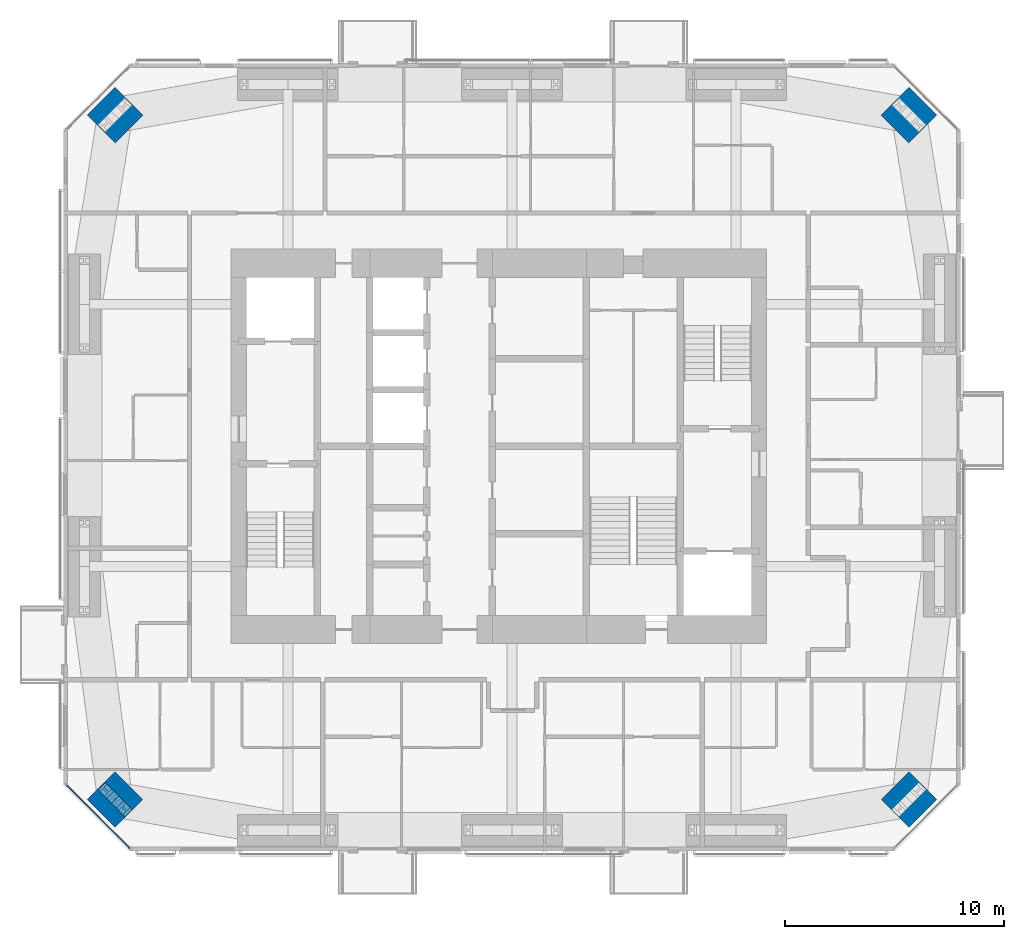
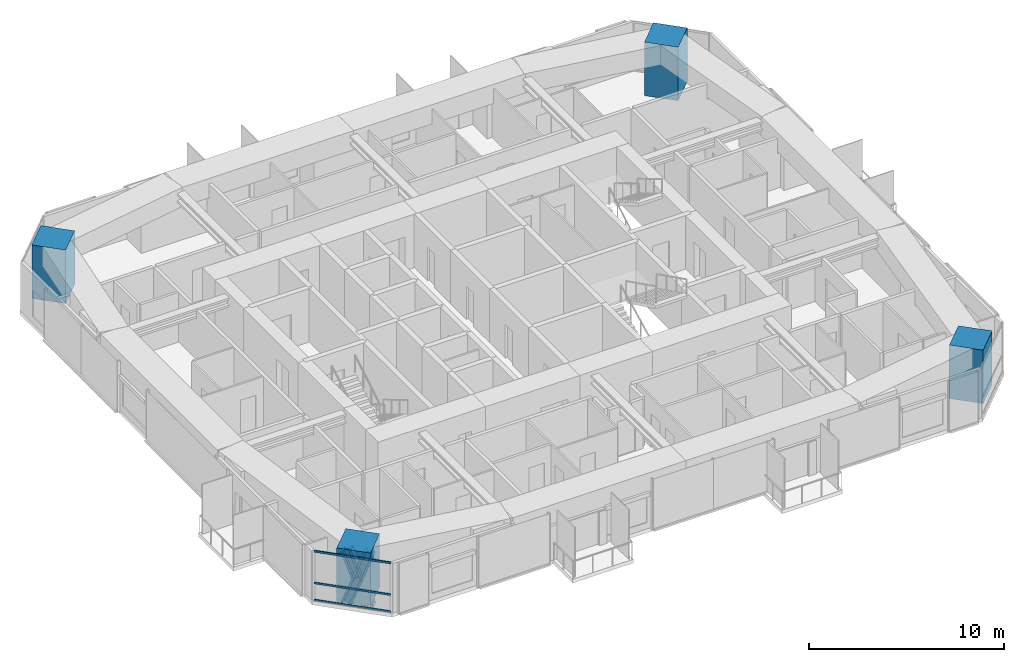
# One storey, part 1 of 22: 7 members, 4 columns, 1 element without a shape of its own.
"""IFC4 building model written with IfcOpenShell, lengths in metres."""

import ifcopenshell
import ifcopenshell.guid

model = None  # the IFC model being written
_history = None  # IfcOwnerHistory: only IFC2X3 demands one
_inside = {}  # id of a spatial element -> (the spatial element, [elements in it])
_under = {}  # id of a project, library or spatial element -> (it, [spatial elements below it])
_declared = {}  # id of a project -> (the project, [libraries it declares])
_typed = {}  # id of a type object -> (the type object, [elements of that type])
_made_of = {}  # id of a material, layer set ... -> (it, [elements and type objects made of it])


def new_model(schema):
    """Start an empty IFC model of exactly this schema.

    Asked for "IFC4X3", IfcOpenShell would pick the latest addendum, in which some entities
    have other attributes; the version numbers below select the first issue.
    IFC2X3 requires an IfcOwnerHistory on every rooted entity: one is made here for all.
    """
    global model, _history
    if schema == "IFC4X3":
        model = ifcopenshell.file(schema_version=(4, 3, 0, 0))
    else:
        model = ifcopenshell.file(schema=schema)
    _inside.clear()
    _under.clear()
    _declared.clear()
    _typed.clear()
    _made_of.clear()
    _history = None
    if model.schema == "IFC2X3":
        org = make("IfcOrganization", Name="unknown")
        user = make(
            "IfcPersonAndOrganization",
            ThePerson=make("IfcPerson", FamilyName="unknown"),
            TheOrganization=org,
        )
        app = make(
            "IfcApplication",
            ApplicationDeveloper=org,
            Version="unknown",
            ApplicationFullName="unknown",
            ApplicationIdentifier="unknown",
        )
        _history = make(
            "IfcOwnerHistory",
            OwningUser=user,
            OwningApplication=app,
            ChangeAction="ADDED",
            CreationDate=0,
        )
    return model


def make(cls, **values):
    """One entity of the class cls with the attributes given. An attribute that is None is left unset."""
    return model.create_entity(
        cls, **{name: value for name, value in values.items() if value is not None}
    )


def rooted(cls, **values):
    """An entity with a GlobalId (a new one), such as an element, a storey or a relation."""
    return make(cls, GlobalId=ifcopenshell.guid.new(), OwnerHistory=_history, **values)


def si_unit(unit_type, name, prefix=None):
    """IfcSIUnit, for example si_unit("LENGTHUNIT", "METRE", prefix="MILLI")."""
    return make("IfcSIUnit", UnitType=unit_type, Prefix=prefix, Name=name)


def assignment(units):
    """IfcUnitAssignment: the units of a project."""
    return None if units is None else make("IfcUnitAssignment", Units=units)


def point(xyz):
    """IfcCartesianPoint."""
    return None if xyz is None else make("IfcCartesianPoint", Coordinates=xyz)


def direction(xyz):
    """IfcDirection."""
    return None if xyz is None else make("IfcDirection", DirectionRatios=xyz)


def frame(location, z_axis=None, x_axis=None):
    """IfcAxis2Placement3D, a coordinate frame: its origin and axes. An axis left out is left unset."""
    return make(
        "IfcAxis2Placement3D",
        Location=point(location),
        Axis=direction(z_axis),
        RefDirection=direction(x_axis),
    )


def frame_2d(location, x_axis=None):
    """IfcAxis2Placement2D, a coordinate frame in the plane: its origin and x axis."""
    return make(
        "IfcAxis2Placement2D", Location=point(location), RefDirection=direction(x_axis)
    )


def origin():
    """The frame at (0, 0, 0) with its axes left unset."""
    return frame((0.0, 0.0, 0.0))


def origin_2d():
    """The frame at (0, 0) in the plane with its x axis left unset."""
    return frame_2d((0.0, 0.0))


def place(relative_to, where):
    """IfcLocalPlacement: puts the frame where relative to a parent placement (None: the world)."""
    return make(
        "IfcLocalPlacement", PlacementRelTo=relative_to, RelativePlacement=where
    )


def context(
    kind, dimensions, precision=None, world=None, true_north=None, identifier=None
):
    """IfcGeometricRepresentationContext, for example the 3D "Model" context."""
    return make(
        "IfcGeometricRepresentationContext",
        ContextIdentifier=identifier,
        ContextType=kind,
        CoordinateSpaceDimension=dimensions,
        Precision=precision,
        WorldCoordinateSystem=world,
        TrueNorth=true_north,
    )


def subcontext(parent, identifier, kind, view, scale=None):
    """IfcGeometricRepresentationSubContext, for example "Body" below "Model"."""
    return make(
        "IfcGeometricRepresentationSubContext",
        ContextIdentifier=identifier,
        ContextType=kind,
        ParentContext=parent,
        TargetScale=scale,
        TargetView=view,
    )


def project(units=None, contexts=None):
    """IfcProject with its units and contexts."""
    return rooted(
        "IfcProject",
        Name="project",
        RepresentationContexts=contexts,
        UnitsInContext=assignment(units),
    )


def spatial(cls, under=None, at=None, **own):
    """A site, building, storey or space (cls), placed at a placement, below another one or the project."""
    s = rooted(cls, ObjectPlacement=at, **own)
    if under is not None:
        _under.setdefault(under.id(), (under, []))[1].append(s)
    return s


def profile(cls, at=None, kind="AREA", **sizes):
    """A parametric profile (cls). Its sizes go by their IFC names, for example OverallWidth=200.0."""
    return make(cls, ProfileType=kind, Position=at, **sizes)


def rectangle(**sizes):
    """IfcRectangleProfileDef."""
    return profile("IfcRectangleProfileDef", **sizes)


def i_section(**sizes):
    """IfcIShapeProfileDef."""
    return profile("IfcIShapeProfileDef", **sizes)


def extrude(swept, where, along, depth):
    """IfcExtrudedAreaSolid: the profile swept, set in the frame where, extruded along a direction by depth."""
    return make(
        "IfcExtrudedAreaSolid",
        SweptArea=swept,
        Position=where,
        ExtrudedDirection=direction(along),
        Depth=depth,
    )


def shape(context_of_items, identifier, shape_type, items):
    """IfcShapeRepresentation: the items that make up one representation, for example the "Body"."""
    return make(
        "IfcShapeRepresentation",
        ContextOfItems=context_of_items,
        RepresentationIdentifier=identifier,
        RepresentationType=shape_type,
        Items=items,
    )


def material(Name=None, Category=None):
    """IfcMaterial."""
    return make("IfcMaterial", Name=Name, Category=Category)


def material_profile(
    of_material, cross_section, Name=None, Category=None, Priority=None
):
    """IfcMaterialProfile: a cross section and its material."""
    return make(
        "IfcMaterialProfile",
        Name=Name,
        Material=of_material,
        Profile=cross_section,
        Priority=Priority,
        Category=Category,
    )


def profile_set(profiles, Name=None, composite=None):
    """IfcMaterialProfileSet."""
    return make(
        "IfcMaterialProfileSet",
        Name=Name,
        MaterialProfiles=profiles,
        CompositeProfile=composite,
    )


def made_of(thing, what):
    """Note that an element or type object is made of a material, layer set ...; save() writes the relation."""
    if what is not None:
        _made_of.setdefault(what.id(), (what, []))[1].append(thing)
    return thing


def type_object(cls, material=None, **own):
    """A type object (cls), such as IfcWallType, which elements share."""
    return made_of(rooted(cls, **own), material)


def element(
    cls,
    number,
    at=None,
    inside=None,
    cuts=None,
    type_object=None,
    material=None,
    context=None,
    identifier="Body",
    shape_type=None,
    held_by="IfcProductDefinitionShape",
    body=None,
    shapes=None,
    **own,
):
    """One element of the class cls, such as IfcWall. Its Tag is "e" and its number.

    at: its placement. inside: the storey or other place that contains it. cuts: it is an
    opening in that element (IfcRelVoidsElement). A single representation is given by context,
    identifier, shape_type and body (its items); several are given by shapes. held_by: the class
    of the entity that holds the representations. save() writes the other relations.
    """
    e = rooted(cls, Tag="e%d" % number, ObjectPlacement=at, **own)
    if body is not None:
        shapes = [shape(context, identifier, shape_type, body)]
    if shapes is not None:
        e.Representation = make(held_by, Representations=shapes)
    if inside is not None:
        _inside.setdefault(inside.id(), (inside, []))[1].append(e)
    if cuts is not None:
        rooted(
            "IfcRelVoidsElement", RelatingBuildingElement=cuts, RelatedOpeningElement=e
        )
    if type_object is not None:
        _typed.setdefault(type_object.id(), (type_object, []))[1].append(e)
    return made_of(e, material)


def aggregate(whole, parts):
    """IfcRelAggregates: a whole, such as a stair, and the parts it consists of."""
    return rooted("IfcRelAggregates", RelatingObject=whole, RelatedObjects=parts)


def save(model, path):
    """Write the relations noted so far, then the file.

    IfcRelAggregates (storeys below a building ...), IfcRelContainedInSpatialStructure (elements
    in a storey), IfcRelDefinesByType, IfcRelAssociatesMaterial and IfcRelDeclares: one each for
    every whole, place, type object, material and project.
    """
    for whole, parts in _under.values():
        aggregate(whole, parts)
    for where, things in _inside.values():
        rooted(
            "IfcRelContainedInSpatialStructure",
            RelatedElements=things,
            RelatingStructure=where,
        )
    for kind, things in _typed.values():
        rooted("IfcRelDefinesByType", RelatedObjects=things, RelatingType=kind)
    for what, things in _made_of.values():
        rooted("IfcRelAssociatesMaterial", RelatedObjects=things, RelatingMaterial=what)
    for by, libraries in _declared.values():
        rooted("IfcRelDeclares", RelatingContext=by, RelatedDefinitions=libraries)
    model.write(path)


model = new_model("IFC4")

# Units and contexts
model_context = context("Model", 3, precision=1e-05, world=origin(), true_north=direction((0.0, 1.0)))
body_context = subcontext(model_context, "Body", "Model", "MODEL_VIEW")
ifc_project = project(units=[si_unit("LENGTHUNIT", "METRE"), si_unit("AREAUNIT", "SQUARE_METRE"), si_unit("VOLUMEUNIT", "CUBIC_METRE"), si_unit("PLANEANGLEUNIT", "RADIAN"), si_unit("MASSUNIT", "GRAM", prefix="KILO")], contexts=[model_context])

# Site, building, storey
site_placement = place(None, origin())
site = spatial("IfcSite", under=ifc_project, at=site_placement, CompositionType="ELEMENT")
building_placement = place(site_placement, origin())
building = spatial("IfcBuilding", under=site, at=building_placement, Name="Jalousie Tower", CompositionType="ELEMENT")
storey_placement = place(building_placement, frame((0.0, 0.0, 177.800048828125)))
storey = spatial("IfcBuildingStorey", under=building, at=storey_placement, Name="L48", CompositionType="ELEMENT", Elevation=177.800048828125)

# Columns
ifc_material_1 = material(Name="Concrete f'c 120 MPa", Category="concrete")
ifc_material_profile_1 = material_profile(ifc_material_1, rectangle(XDim=1.800048828125, YDim=1.800048828125, at=origin_2d()), Name="RC 1800x1800")
ifc_profile_set_1 = profile_set([ifc_material_profile_1], Name="Concrete f'c 120 MPa")
column_type = type_object("IfcColumnType", Name="RC COLUMN 1800x1800", PredefinedType="COLUMN", material=ifc_profile_set_1)
for number, where, z_axis, x_axis, name in (
    (1, (14.348388671875, 2.348388671875, 0.0), (0.0, 0.0, 1.0), (0.707106781187, 0.707106781187, 0.0), "Column 01 L48"),
    (2, (50.651611328125, 2.348388671875, 0.0), (0.0, 0.0, 1.0), (0.707106781187, 0.707106781187, 0.0), "Column 05 L48"),
    (3, (50.651611328125, 33.651611328125, 0.0), (0.0, 0.0, 1.0), (0.707106781187, 0.707106781187, 0.0), "Column 08 L48"),
    (4, (14.348388671875, 33.651611328125, 0.0), (0.0, 0.0, 1.0), (0.707106781187, 0.707106781187, 0.0), "Column 12 L48"),
):
    element("IfcColumn", number, at=place(storey_placement, frame(where, z_axis=z_axis, x_axis=x_axis)), inside=storey, type_object=column_type, Name=name, PredefinedType="COLUMN", context=body_context, shape_type="SweptSolid", body=[
        extrude(rectangle(XDim=1.800048828125, YDim=1.800048828125, at=origin_2d()), origin(), (0.0, 0.0, 1.0), 3.349853515625),
    ])

# Curtain wall, members
ifc_material_2 = material(Name="Aluminium curtain wall", Category="aluminium")
curtain_wall_type = type_object("IfcCurtainWallType", Name="CORNER WINDOW WALL", PredefinedType="USERDEFINED", material=ifc_material_2)
curtain_wall_placement = place(storey_placement, origin())
curtain_wall = element("IfcCurtainWall", 5, at=curtain_wall_placement, inside=storey, type_object=curtain_wall_type, Name="Corner Window Wall L48 8", ObjectType="CORNER WINDOW WALL", PredefinedType="USERDEFINED")
ifc_material_3 = material(Name="Aluminium transom", Category="aluminium")
ifc_material_profile_2 = material_profile(ifc_material_3, rectangle(XDim=0.06005859375, YDim=0.1201171875, at=origin_2d()), Name="TRANSOM 60x120")
ifc_profile_set_2 = profile_set([ifc_material_profile_2], Name="Aluminium transom")
member_type_1 = type_object("IfcMemberType", Name="CORNER WINDOW WALL TRANSOM", PredefinedType="USERDEFINED", material=ifc_profile_set_2)
member_1_placement = place(storey_placement, frame((12.1298828125, 3.0087890625, 0.030029296875), z_axis=(0.707106781187, -0.707106781187, 0.0), x_axis=(0.707106781187, 0.707106781187, 0.0)))
member_1 = element("IfcMember", 6, at=member_1_placement, type_object=member_type_1, Name="CW-C transom 1.1", ObjectType="TRANSOM", PredefinedType="USERDEFINED", context=body_context, shape_type="SweptSolid", body=[
    extrude(rectangle(XDim=0.06005859375, YDim=0.1201171875, at=origin_2d()), origin(), (0.0, 0.0, 1.0), 4.0712890625),
])
member_2_placement = place(storey_placement, frame((12.1298828125, 3.0087890625, 1.099853515625), z_axis=(0.707106781187, -0.707106781187, 0.0), x_axis=(0.707106781187, 0.707106781187, 0.0)))
member_2 = element("IfcMember", 7, at=member_2_placement, type_object=member_type_1, Name="CW-C transom 1.2", ObjectType="TRANSOM", PredefinedType="USERDEFINED", context=body_context, shape_type="SweptSolid", body=[
    extrude(rectangle(XDim=0.06005859375, YDim=0.1201171875, at=origin_2d()), origin(), (0.0, 0.0, 1.0), 4.0712890625),
])
member_3_placement = place(storey_placement, frame((12.1298828125, 3.0087890625, 3.079833984375), z_axis=(0.707106781187, -0.707106781187, 0.0), x_axis=(0.707106781187, 0.707106781187, 0.0)))
member_3 = element("IfcMember", 8, at=member_3_placement, type_object=member_type_1, Name="CW-C transom 1.3", ObjectType="TRANSOM", PredefinedType="USERDEFINED", context=body_context, shape_type="SweptSolid", body=[
    extrude(rectangle(XDim=0.06005859375, YDim=0.1201171875, at=origin_2d()), origin(), (0.0, 0.0, 1.0), 4.0712890625),
])
aggregate(curtain_wall, [member_1, member_2, member_3])

# Members
ifc_material_4 = material(Name="Steel ASTM A992 Grade 50", Category="steel")
ifc_material_profile_3 = material_profile(ifc_material_4, i_section(OverallWidth=0.472412109375, OverallDepth=0.5791015625, WebThickness=0.094970703125, FlangeThickness=0.1298828125, at=origin_2d()), Name="W14X808")
ifc_profile_set_3 = profile_set([ifc_material_profile_3], Name="Steel ASTM A992 Grade 50")
member_type_2 = type_object("IfcMemberType", Name="PERIMETER BRACE W14X808", PredefinedType="BRACE", material=ifc_profile_set_3)
for number, where, z_axis, x_axis, name in (
    (9, (13.92431640625, 2.772705078125, -0.60009765625), (0.238345540878, -0.238482757655, 0.941444303953), (0.707310235866, 0.706903267951, 0.0), "Perimeter brace 01 L48 part 1"),
    (10, (14.348388671875, 2.348388671875, 1.074951171875), (0.238482757655, -0.238345540878, 0.941444303953), (0.706903267951, 0.707310235866, 0.0), "Perimeter brace 01 L48 part 2"),
    (11, (14.772705078125, 1.92431640625, -0.60009765625), (-0.238482757655, 0.238345540878, 0.941444303953), (-0.706903267951, -0.707310235866, 0.0), "Perimeter brace 01 L48 part 3"),
    (12, (14.348388671875, 2.348388671875, 1.074951171875), (-0.238345540878, 0.238482757655, 0.941444303953), (-0.707310235866, -0.706903267951, 0.0), "Perimeter brace 01 L48 part 4"),
):
    element("IfcMember", number, at=place(storey_placement, frame(where, z_axis=z_axis, x_axis=x_axis)), inside=storey, type_object=member_type_2, Name=name, PredefinedType="BRACE", context=body_context, shape_type="SweptSolid", body=[
        extrude(i_section(OverallWidth=0.472412109375, OverallDepth=0.5791015625, WebThickness=0.094970703125, FlangeThickness=0.1298828125, at=origin_2d()), origin(), (0.0, 0.0, 1.0), 1.779296875),
    ])

save(model, "model.ifc")
